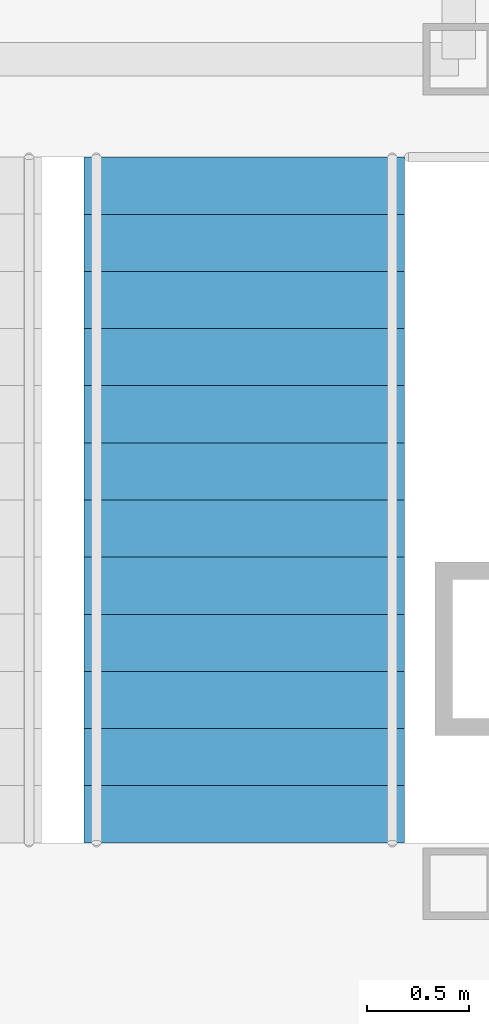
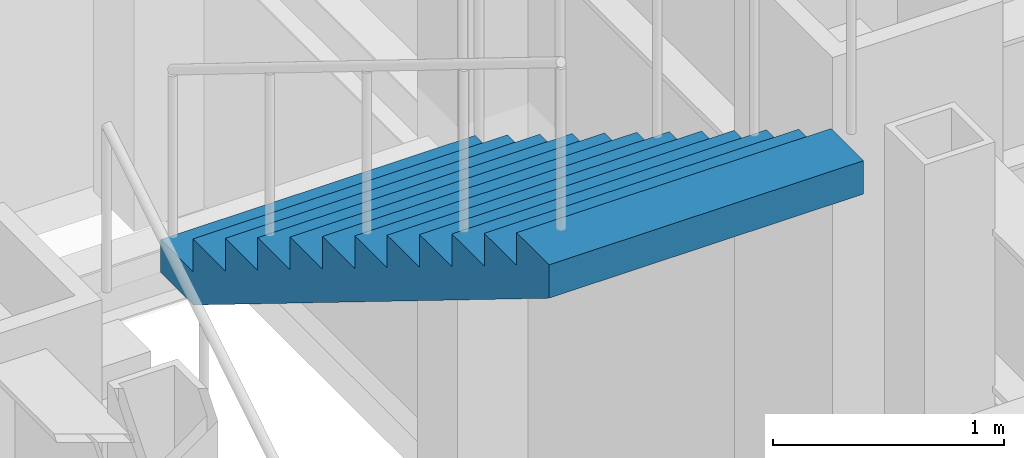
# One storey, part 13 of 16: 1 stair flight, 1 element without a shape of its own.
"""IFC4 building model written with IfcOpenShell, lengths in metres."""

from ifc_helpers import new_model, si_unit, direction, frame, origin, place, context, subcontext, project, spatial, faceted_brep, material, type_object, element, aggregate, save


model = new_model("IFC4")

# Units and contexts
model_context = context("Model", 3, precision=1e-05, world=origin(), true_north=direction((0.0, 1.0)))
body_context = subcontext(model_context, "Body", "Model", "MODEL_VIEW")
ifc_project = project(units=[si_unit("LENGTHUNIT", "METRE"), si_unit("AREAUNIT", "SQUARE_METRE"), si_unit("VOLUMEUNIT", "CUBIC_METRE"), si_unit("PLANEANGLEUNIT", "RADIAN"), si_unit("MASSUNIT", "GRAM", prefix="KILO")], contexts=[model_context])

# Site, building, storey
site_placement = place(None, origin())
site = spatial("IfcSite", under=ifc_project, at=site_placement, CompositionType="ELEMENT")
building_placement = place(site_placement, origin())
building = spatial("IfcBuilding", under=site, at=building_placement, Name="Chuquiago Exchange Tower", CompositionType="ELEMENT")
storey_placement = place(building_placement, frame((0.0, 0.0, 82.800048828125)))
storey = spatial("IfcBuildingStorey", under=building, at=storey_placement, Name="L17", CompositionType="ELEMENT", Elevation=82.800048828125)

# Stair, stair flight
ifc_material_1 = material(Name="Concrete C30/37, precast", Category="concrete")
stair_type = type_object("IfcStairType", Name="ST2 half-turn stair 4500", PredefinedType="HALF_TURN_STAIR", material=ifc_material_1)
stair_placement = place(storey_placement, origin())
stair = element("IfcStair", 1, at=stair_placement, inside=storey, type_object=stair_type, Name="Stair ST2 L17", PredefinedType="HALF_TURN_STAIR")
ifc_material_2 = material(Name="Concrete C30/37, precast", Category="concrete")
stair_flight_type = type_object("IfcStairFlightType", Name="ST-F flight 1570 for 4500 storey", PredefinedType="STRAIGHT", material=ifc_material_2)
stair_flight_placement = place(storey_placement, frame((31.639892578125, 26.409912109375, 2.25), z_axis=(0.0, 0.0, 1.0), x_axis=(0.0, -1.0, 0.0)))
stair_flight = element("IfcStairFlight", 2, at=stair_flight_placement, type_object=stair_flight_type, Name="ST2 flight 2", NumberOfRisers=13, NumberOfTreads=12, PredefinedType="STRAIGHT", RiserHeight=0.173076923, TreadLength=0.28, context=body_context, shape_type="Brep", body=[
    faceted_brep([(0.0, 0.78515625, 0.0), (0.0, 0.78515625, 0.173095703125), (0.280029296875, 0.78515625, 0.173095703125), (0.280029296875, 0.78515625, 0.34619140625), (0.56005859375, 0.78515625, 0.34619140625), (0.56005859375, 0.78515625, 0.519287109375), (0.840087890625, 0.78515625, 0.519287109375), (0.840087890625, 0.78515625, 0.6923828125), (1.1201171875, 0.78515625, 0.6923828125), (1.1201171875, 0.78515625, 0.865478515625), (1.39990234375, 0.78515625, 0.865478515625), (1.39990234375, 0.78515625, 1.03857421875), (1.679931640625, 0.78515625, 1.03857421875), (1.679931640625, 0.78515625, 1.21142578125), (1.9599609375, 0.78515625, 1.21142578125), (1.9599609375, 0.78515625, 1.384521484375), (2.239990234375, 0.78515625, 1.384521484375), (2.239990234375, 0.78515625, 1.5576171875), (2.52001953125, 0.78515625, 1.5576171875), (2.52001953125, 0.78515625, 1.730712890625), (2.800048828125, 0.78515625, 1.730712890625), (2.800048828125, 0.78515625, 1.90380859375), (3.080078125, 0.78515625, 1.90380859375), (3.080078125, 0.78515625, 2.076904296875), (3.360107421875, 0.78515625, 2.076904296875), (3.360107421875, 0.78515625, 1.900634765625), (0.28515625, 0.78515625, 0.0), (0.28515625, -0.78515625, 0.0), (3.360107421875, -0.78515625, 1.900634765625), (3.360107421875, -0.78515625, 2.076904296875), (3.080078125, -0.78515625, 2.076904296875), (3.080078125, -0.78515625, 1.90380859375), (2.800048828125, -0.78515625, 1.90380859375), (2.800048828125, -0.78515625, 1.730712890625), (2.52001953125, -0.78515625, 1.730712890625), (2.52001953125, -0.78515625, 1.5576171875), (2.239990234375, -0.78515625, 1.5576171875), (2.239990234375, -0.78515625, 1.384521484375), (1.9599609375, -0.78515625, 1.384521484375), (1.9599609375, -0.78515625, 1.21142578125), (1.679931640625, -0.78515625, 1.21142578125), (1.679931640625, -0.78515625, 1.03857421875), (1.39990234375, -0.78515625, 1.03857421875), (1.39990234375, -0.78515625, 0.865478515625), (1.1201171875, -0.78515625, 0.865478515625), (1.1201171875, -0.78515625, 0.6923828125), (0.840087890625, -0.78515625, 0.6923828125), (0.840087890625, -0.78515625, 0.519287109375), (0.56005859375, -0.78515625, 0.519287109375), (0.56005859375, -0.78515625, 0.34619140625), (0.280029296875, -0.78515625, 0.34619140625), (0.280029296875, -0.78515625, 0.173095703125), (0.0, -0.78515625, 0.173095703125), (0.0, -0.78515625, 0.0), (0.0, 0.392578125, 0.0), (0.0, 0.392578125, 0.173095703125), (0.0, 0.0, 0.0), (0.0, 0.0, 0.173095703125), (0.0, -0.392578125, 0.0), (0.0, -0.392578125, 0.173095703125), (0.280029296875, 0.392578125, 0.173095703125), (0.280029296875, 0.0, 0.173095703125), (0.280029296875, -0.392578125, 0.173095703125), (0.280029296875, 0.392578125, 0.34619140625), (0.280029296875, 0.0, 0.34619140625), (0.280029296875, -0.392578125, 0.34619140625), (0.56005859375, 0.392578125, 0.34619140625), (0.56005859375, 0.0, 0.34619140625), (0.56005859375, -0.392578125, 0.34619140625), (0.56005859375, 0.392578125, 0.519287109375), (0.56005859375, 0.0, 0.519287109375), (0.56005859375, -0.392578125, 0.519287109375), (0.840087890625, 0.392578125, 0.519287109375), (0.840087890625, 0.0, 0.519287109375), (0.840087890625, -0.392578125, 0.519287109375), (0.840087890625, 0.392578125, 0.6923828125), (0.840087890625, 0.0, 0.6923828125), (0.840087890625, -0.392578125, 0.6923828125), (1.1201171875, 0.392578125, 0.6923828125), (1.1201171875, 0.0, 0.6923828125), (1.1201171875, -0.392578125, 0.6923828125), (1.1201171875, 0.392578125, 0.865478515625), (1.1201171875, 0.0, 0.865478515625), (1.1201171875, -0.392578125, 0.865478515625), (1.39990234375, 0.392578125, 0.865478515625), (1.39990234375, 0.0, 0.865478515625), (1.39990234375, -0.392578125, 0.865478515625), (1.39990234375, 0.392578125, 1.03857421875), (1.39990234375, 0.0, 1.03857421875), (1.39990234375, -0.392578125, 1.03857421875), (1.679931640625, 0.392578125, 1.03857421875), (1.679931640625, 0.0, 1.03857421875), (1.679931640625, -0.392578125, 1.03857421875), (1.679931640625, 0.392578125, 1.21142578125), (1.679931640625, 0.0, 1.21142578125), (1.679931640625, -0.392578125, 1.21142578125), (1.9599609375, 0.392578125, 1.21142578125), (1.9599609375, 0.0, 1.21142578125), (1.9599609375, -0.392578125, 1.21142578125), (1.9599609375, 0.392578125, 1.384521484375), (1.9599609375, 0.0, 1.384521484375), (1.9599609375, -0.392578125, 1.384521484375), (2.239990234375, 0.392578125, 1.384521484375), (2.239990234375, 0.0, 1.384521484375), (2.239990234375, -0.392578125, 1.384521484375), (2.239990234375, 0.392578125, 1.5576171875), (2.239990234375, 0.0, 1.5576171875), (2.239990234375, -0.392578125, 1.5576171875), (2.52001953125, 0.392578125, 1.5576171875), (2.52001953125, 0.0, 1.5576171875), (2.52001953125, -0.392578125, 1.5576171875), (2.52001953125, 0.392578125, 1.730712890625), (2.52001953125, 0.0, 1.730712890625), (2.52001953125, -0.392578125, 1.730712890625), (2.800048828125, 0.392578125, 1.730712890625), (2.800048828125, 0.0, 1.730712890625), (2.800048828125, -0.392578125, 1.730712890625), (2.800048828125, 0.392578125, 1.90380859375), (2.800048828125, 0.0, 1.90380859375), (2.800048828125, -0.392578125, 1.90380859375), (3.080078125, 0.392578125, 1.90380859375), (3.080078125, 0.0, 1.90380859375), (3.080078125, -0.392578125, 1.90380859375), (3.080078125, 0.392578125, 2.076904296875), (3.080078125, 0.0, 2.076904296875), (3.080078125, -0.392578125, 2.076904296875), (3.360107421875, 0.392578125, 2.076904296875), (3.360107421875, 0.0, 2.076904296875), (3.360107421875, -0.392578125, 2.076904296875), (3.360107421875, 0.392578125, 1.900634765625), (3.360107421875, 0.0, 1.900634765625), (3.360107421875, -0.392578125, 1.900634765625), (0.28515625, 0.392578125, 0.0), (0.28515625, 0.0, 0.0), (0.28515625, -0.392578125, 0.0)], [[[0, 1, 2, 3, 4, 5, 6, 7, 8, 9, 10, 11, 12, 13, 14, 15, 16, 17, 18, 19, 20, 21, 22, 23, 24, 25, 26]], [[27, 28, 29, 30, 31, 32, 33, 34, 35, 36, 37, 38, 39, 40, 41, 42, 43, 44, 45, 46, 47, 48, 49, 50, 51, 52, 53]], [[1, 0, 54, 55]], [[55, 54, 56, 57]], [[57, 56, 58, 59]], [[59, 58, 53, 52]], [[2, 1, 55, 60]], [[60, 55, 57, 61]], [[61, 57, 59, 62]], [[62, 59, 52, 51]], [[3, 2, 60, 63]], [[63, 60, 61, 64]], [[64, 61, 62, 65]], [[65, 62, 51, 50]], [[4, 3, 63, 66]], [[66, 63, 64, 67]], [[67, 64, 65, 68]], [[68, 65, 50, 49]], [[5, 4, 66, 69]], [[69, 66, 67, 70]], [[70, 67, 68, 71]], [[71, 68, 49, 48]], [[6, 5, 69, 72]], [[72, 69, 70, 73]], [[73, 70, 71, 74]], [[74, 71, 48, 47]], [[7, 6, 72, 75]], [[75, 72, 73, 76]], [[76, 73, 74, 77]], [[77, 74, 47, 46]], [[8, 7, 75, 78]], [[78, 75, 76, 79]], [[79, 76, 77, 80]], [[80, 77, 46, 45]], [[9, 8, 78, 81]], [[81, 78, 79, 82]], [[82, 79, 80, 83]], [[83, 80, 45, 44]], [[10, 9, 81, 84]], [[84, 81, 82, 85]], [[85, 82, 83, 86]], [[86, 83, 44, 43]], [[11, 10, 84, 87]], [[87, 84, 85, 88]], [[88, 85, 86, 89]], [[89, 86, 43, 42]], [[12, 11, 87, 90]], [[90, 87, 88, 91]], [[91, 88, 89, 92]], [[92, 89, 42, 41]], [[13, 12, 90, 93]], [[93, 90, 91, 94]], [[94, 91, 92, 95]], [[95, 92, 41, 40]], [[14, 13, 93, 96]], [[96, 93, 94, 97]], [[97, 94, 95, 98]], [[98, 95, 40, 39]], [[15, 14, 96, 99]], [[99, 96, 97, 100]], [[100, 97, 98, 101]], [[101, 98, 39, 38]], [[16, 15, 99, 102]], [[102, 99, 100, 103]], [[103, 100, 101, 104]], [[104, 101, 38, 37]], [[17, 16, 102, 105]], [[105, 102, 103, 106]], [[106, 103, 104, 107]], [[107, 104, 37, 36]], [[18, 17, 105, 108]], [[108, 105, 106, 109]], [[109, 106, 107, 110]], [[110, 107, 36, 35]], [[19, 18, 108, 111]], [[111, 108, 109, 112]], [[112, 109, 110, 113]], [[113, 110, 35, 34]], [[20, 19, 111, 114]], [[114, 111, 112, 115]], [[115, 112, 113, 116]], [[116, 113, 34, 33]], [[21, 20, 114, 117]], [[117, 114, 115, 118]], [[118, 115, 116, 119]], [[119, 116, 33, 32]], [[22, 21, 117, 120]], [[120, 117, 118, 121]], [[121, 118, 119, 122]], [[122, 119, 32, 31]], [[23, 22, 120, 123]], [[123, 120, 121, 124]], [[124, 121, 122, 125]], [[125, 122, 31, 30]], [[24, 23, 123, 126]], [[126, 123, 124, 127]], [[127, 124, 125, 128]], [[128, 125, 30, 29]], [[25, 24, 126, 129]], [[129, 126, 127, 130]], [[130, 127, 128, 131]], [[131, 128, 29, 28]], [[26, 25, 129, 132]], [[132, 129, 130, 133]], [[133, 130, 131, 134]], [[134, 131, 28, 27]], [[0, 26, 132, 54]], [[54, 132, 133, 56]], [[56, 133, 134, 58]], [[58, 134, 27, 53]]]),
])
aggregate(stair, [stair_flight])

save(model, "model.ifc")
